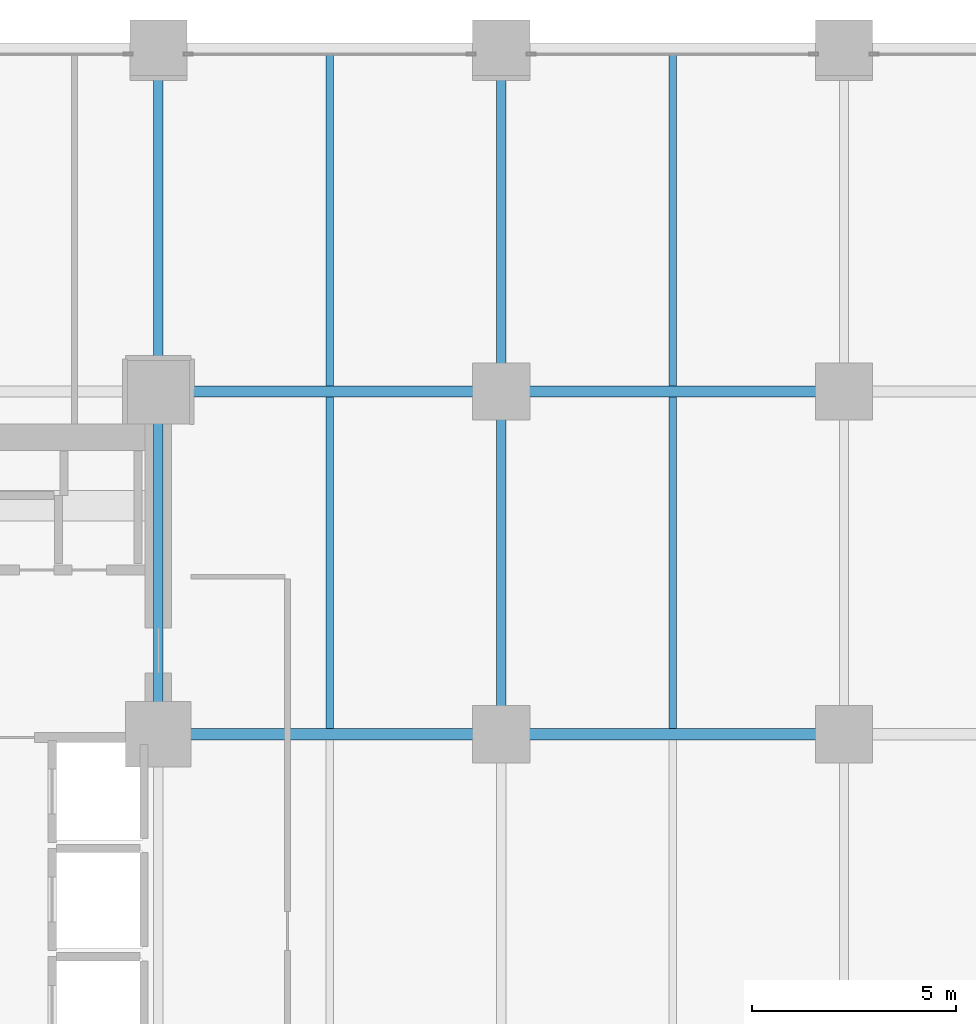
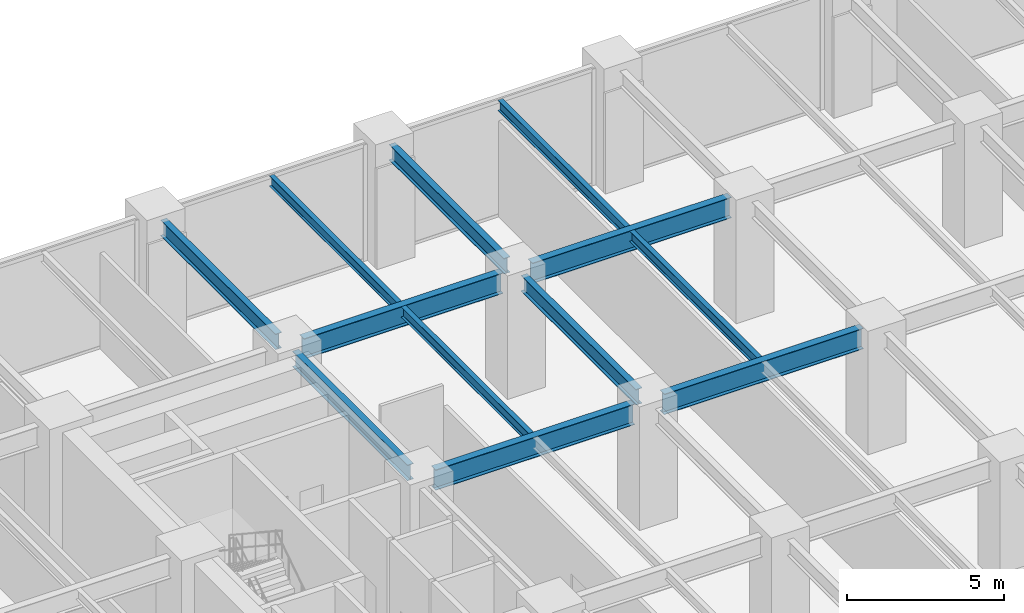
# One storey, part 11 of 24: 12 beams.
"""IFC4 building model written with IfcOpenShell, lengths in metres."""

from ifc_helpers import new_model, si_unit, direction, frame, origin, origin_2d, place, context, subcontext, project, spatial, i_section, extrude, material, material_profile, profile_set, type_object, element, save


model = new_model("IFC4")

# Units and contexts
model_context = context("Model", 3, precision=1e-05, world=origin(), true_north=direction((0.0, 1.0)))
body_context = subcontext(model_context, "Body", "Model", "MODEL_VIEW")
ifc_project = project(units=[si_unit("LENGTHUNIT", "METRE"), si_unit("AREAUNIT", "SQUARE_METRE"), si_unit("VOLUMEUNIT", "CUBIC_METRE"), si_unit("PLANEANGLEUNIT", "RADIAN"), si_unit("MASSUNIT", "GRAM", prefix="KILO")], contexts=[model_context])

# Site, building, storey
site_placement = place(None, origin())
site = spatial("IfcSite", under=ifc_project, at=site_placement, CompositionType="ELEMENT")
building_placement = place(site_placement, origin())
building = spatial("IfcBuilding", under=site, at=building_placement, Name="Nerrivon Quay Data Exchange", CompositionType="ELEMENT")
storey_placement = place(building_placement, frame((0.0, 0.0, 10.199951171875)))
storey = spatial("IfcBuildingStorey", under=building, at=storey_placement, Name="L02", CompositionType="ELEMENT", Elevation=10.199951171875)

# Beams
ifc_material = material(Name="Steel Grade 350", Category="steel")
ifc_material_profile_1 = material_profile(ifc_material, i_section(OverallWidth=0.22900390625, OverallDepth=0.612060546875, WebThickness=0.011962890625, FlangeThickness=0.01953125, FilletRadius=0.013916015625, at=origin_2d()), Name="610UB125")
ifc_profile_set_1 = profile_set([ifc_material_profile_1], Name="Steel Grade 350")
beam_type_1 = type_object("IfcBeamType", Name="BM-G1-610UB125", PredefinedType="BEAM", material=ifc_profile_set_1)
for number, where, z_axis, x_axis, name in (
    (1, (16.800048828125, 34.139892578125, 4.218994140625), (0.0, 1.0, 0.0), (-1.0, 0.0, 0.0), "L02 NS Girder X=16.8 (33.6..42.0)"),
    (2, (16.800048828125, 42.5400390625, 4.218994140625), (0.0, 1.0, 0.0), (-1.0, 0.0, 0.0), "L02 NS Girder X=16.8 (42.0..50.4)"),
    (3, (25.199951171875, 34.139892578125, 4.218994140625), (0.0, 1.0, 0.0), (-1.0, 0.0, 0.0), "L02 NS Girder X=25.2 (33.6..42.0)"),
    (4, (25.199951171875, 42.5400390625, 4.218994140625), (0.0, 1.0, 0.0), (-1.0, 0.0, 0.0), "L02 NS Girder X=25.2 (42.0..50.4)"),
):
    element("IfcBeam", number, at=place(storey_placement, frame(where, z_axis=z_axis, x_axis=x_axis)), inside=storey, type_object=beam_type_1, Name=name, PredefinedType="BEAM", context=body_context, shape_type="SweptSolid", body=[
        extrude(i_section(OverallWidth=0.22900390625, OverallDepth=0.612060546875, WebThickness=0.011962890625, FlangeThickness=0.01953125, FilletRadius=0.013916015625, at=origin_2d()), origin(), (0.0, 0.0, 1.0), 7.320068359375),
    ])
ifc_material_profile_2 = material_profile(ifc_material, i_section(OverallWidth=0.27490234375, OverallDepth=0.800048828125, WebThickness=0.010009765625, FlangeThickness=0.02001953125, at=origin_2d()), Name="800WB146")
ifc_profile_set_2 = profile_set([ifc_material_profile_2], Name="Steel Grade 350")
beam_type_2 = type_object("IfcBeamType", Name="BM-G8-800WB146", PredefinedType="BEAM", material=ifc_profile_set_2)
beam_1_placement = place(storey_placement, frame((17.340087890625, 33.60009765625, 4.125), z_axis=(1.0, 0.0, 0.0), x_axis=(0.0, 1.0, 0.0)))
element("IfcBeam", 5, at=beam_1_placement, inside=storey, type_object=beam_type_2, Name="L02 EW Girder Y=33.6 (16.8..25.2)", PredefinedType="BEAM", context=body_context, shape_type="SweptSolid", body=[
    extrude(i_section(OverallWidth=0.27490234375, OverallDepth=0.800048828125, WebThickness=0.010009765625, FlangeThickness=0.02001953125, at=origin_2d()), origin(), (0.0, 0.0, 1.0), 7.31982421875),
])
beam_2_placement = place(storey_placement, frame((25.739990234375, 33.60009765625, 4.125), z_axis=(1.0, 0.0, 0.0), x_axis=(0.0, 1.0, 0.0)))
element("IfcBeam", 6, at=beam_2_placement, inside=storey, type_object=beam_type_2, Name="L02 EW Girder Y=33.6 (25.2..33.6)", PredefinedType="BEAM", context=body_context, shape_type="SweptSolid", body=[
    extrude(i_section(OverallWidth=0.27490234375, OverallDepth=0.800048828125, WebThickness=0.010009765625, FlangeThickness=0.02001953125, at=origin_2d()), origin(), (0.0, 0.0, 1.0), 7.320068359375),
])
beam_3_placement = place(storey_placement, frame((17.340087890625, 42.0, 4.125), z_axis=(1.0, 0.0, 0.0), x_axis=(0.0, 1.0, 0.0)))
element("IfcBeam", 7, at=beam_3_placement, inside=storey, type_object=beam_type_2, Name="L02 EW Girder Y=42.0 (16.8..25.2)", PredefinedType="BEAM", context=body_context, shape_type="SweptSolid", body=[
    extrude(i_section(OverallWidth=0.27490234375, OverallDepth=0.800048828125, WebThickness=0.010009765625, FlangeThickness=0.02001953125, at=origin_2d()), origin(), (0.0, 0.0, 1.0), 7.31982421875),
])
beam_4_placement = place(storey_placement, frame((25.739990234375, 42.0, 4.125), z_axis=(1.0, 0.0, 0.0), x_axis=(0.0, 1.0, 0.0)))
element("IfcBeam", 8, at=beam_4_placement, inside=storey, type_object=beam_type_2, Name="L02 EW Girder Y=42.0 (25.2..33.6)", PredefinedType="BEAM", context=body_context, shape_type="SweptSolid", body=[
    extrude(i_section(OverallWidth=0.27490234375, OverallDepth=0.800048828125, WebThickness=0.010009765625, FlangeThickness=0.02001953125, at=origin_2d()), origin(), (0.0, 0.0, 1.0), 7.320068359375),
])
ifc_material_profile_3 = material_profile(ifc_material, i_section(OverallWidth=0.177978515625, OverallDepth=0.403076171875, WebThickness=0.007568359375, FlangeThickness=0.010986328125, FilletRadius=0.011474609375, at=origin_2d()), Name="410UB53.7")
ifc_profile_set_3 = profile_set([ifc_material_profile_3], Name="Steel Grade 350")
beam_type_3 = type_object("IfcBeamType", Name="BM-J2-410UB54", PredefinedType="JOIST", material=ifc_profile_set_3)
for number, where, z_axis, x_axis, name in (
    (9, (21.0, 33.737548828125, 4.323486328125), (0.0, 1.0, 0.0), (-1.0, 0.0, 0.0), "L02 Secondary Joist X=21.0 (33.6..42.0)"),
    (10, (21.0, 42.137451171875, 4.323486328125), (0.0, 1.0, 0.0), (-1.0, 0.0, 0.0), "L02 Secondary Joist X=21.0 (42.0..50.4)"),
    (11, (29.39990234375, 33.737548828125, 4.323486328125), (0.0, 1.0, 0.0), (-1.0, 0.0, 0.0), "L02 Secondary Joist X=29.4 (33.6..42.0)"),
    (12, (29.39990234375, 42.137451171875, 4.323486328125), (0.0, 1.0, 0.0), (-1.0, 0.0, 0.0), "L02 Secondary Joist X=29.4 (42.0..50.4)"),
):
    element("IfcBeam", number, at=place(storey_placement, frame(where, z_axis=z_axis, x_axis=x_axis)), inside=storey, type_object=beam_type_3, Name=name, PredefinedType="JOIST", context=body_context, shape_type="SweptSolid", body=[
        extrude(i_section(OverallWidth=0.177978515625, OverallDepth=0.403076171875, WebThickness=0.007568359375, FlangeThickness=0.010986328125, FilletRadius=0.011474609375, at=origin_2d()), origin(), (0.0, 0.0, 1.0), 8.125),
    ])

save(model, "model.ifc")
